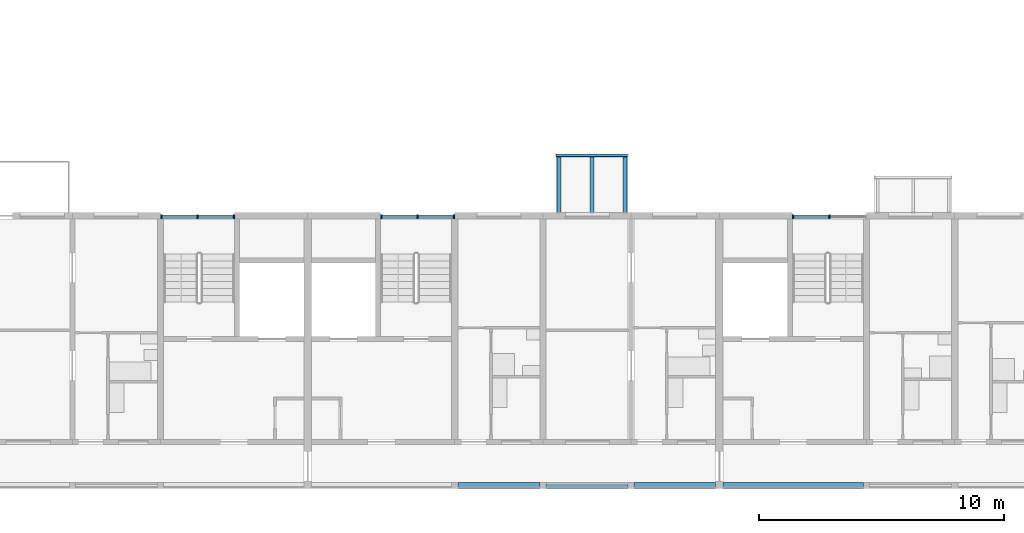
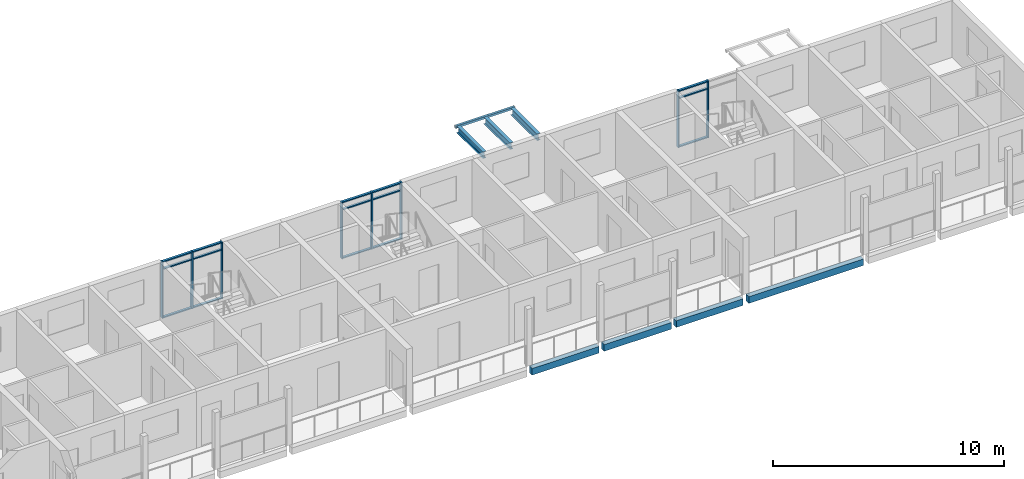
# One storey, part 15 of 99: 23 members, 8 beams, 3 elements without a shape of their own.
"""IFC4 building model written with IfcOpenShell, lengths in metres."""

from ifc_helpers import new_model, si_unit, direction, frame, origin, origin_2d, place, context, subcontext, project, spatial, rectangle, hollow_rectangle, i_section, extrude, material, material_profile, profile_set, type_object, element, aggregate, save


model = new_model("IFC4")

# Units and contexts
model_context = context("Model", 3, precision=1e-05, world=origin(), true_north=direction((0.0, 1.0)))
body_context = subcontext(model_context, "Body", "Model", "MODEL_VIEW")
ifc_project = project(units=[si_unit("LENGTHUNIT", "METRE"), si_unit("AREAUNIT", "SQUARE_METRE"), si_unit("VOLUMEUNIT", "CUBIC_METRE"), si_unit("PLANEANGLEUNIT", "RADIAN"), si_unit("MASSUNIT", "GRAM", prefix="KILO")], contexts=[model_context])

# Site, building, storey
site_placement = place(None, origin())
site = spatial("IfcSite", under=ifc_project, at=site_placement, CompositionType="ELEMENT")
building_placement = place(site_placement, origin())
building = spatial("IfcBuilding", under=site, at=building_placement, Name="Ridgestep Commons", CompositionType="ELEMENT")
storey_placement = place(building_placement, frame((0.0, 0.0, 15.0)))
storey = spatial("IfcBuildingStorey", under=building, at=storey_placement, Name="L05", CompositionType="ELEMENT", Elevation=15.0)

# Beams
ifc_material_1 = material(Name="Precast concrete C40/50", Category="concrete")
ifc_material_profile_1 = material_profile(ifc_material_1, rectangle(XDim=0.25, YDim=0.35009765625, at=origin_2d()), Name="PC 250x350")
ifc_profile_set_1 = profile_set([ifc_material_profile_1], Name="Precast concrete C40/50")
beam_type_1 = type_object("IfcBeamType", Name="Loggia edge beam 250 x 350", PredefinedType="SPANDREL", material=ifc_profile_set_1)
beam_1_placement = place(storey_placement, frame((220.125, 11.875, -0.375), z_axis=(1.0, 0.0, 0.0), x_axis=(0.0, 1.0, 0.0)))
element("IfcBeam", 1, at=beam_1_placement, inside=storey, type_object=beam_type_1, Name="Loggia edge beam D5T3 L05", PredefinedType="SPANDREL", context=body_context, shape_type="SweptSolid", body=[
    extrude(rectangle(XDim=0.25, YDim=0.35009765625, at=origin_2d()), origin(), (0.0, 0.0, 1.0), 3.35009765625),
])
beam_2_placement = place(storey_placement, frame((223.72509765625, 11.875, -0.375), z_axis=(1.0, 0.0, 0.0), x_axis=(0.0, 1.0, 0.0)))
element("IfcBeam", 2, at=beam_2_placement, inside=storey, type_object=beam_type_1, Name="Loggia edge beam D5T2 L05", PredefinedType="SPANDREL", context=body_context, shape_type="SweptSolid", body=[
    extrude(rectangle(XDim=0.25, YDim=0.35009765625, at=origin_2d()), origin(), (0.0, 0.0, 1.0), 3.349853515625),
])
beam_3_placement = place(storey_placement, frame((227.324951171875, 11.875, -0.375), z_axis=(1.0, 0.0, 0.0), x_axis=(0.0, 1.0, 0.0)))
element("IfcBeam", 3, at=beam_3_placement, inside=storey, type_object=beam_type_1, Name="Loggia edge beam D5T1 L05", PredefinedType="SPANDREL", context=body_context, shape_type="SweptSolid", body=[
    extrude(rectangle(XDim=0.25, YDim=0.35009765625, at=origin_2d()), origin(), (0.0, 0.0, 1.0), 3.324951171875),
])
beam_4_placement = place(storey_placement, frame((230.949951171875, 11.875, -0.375), z_axis=(1.0, 0.0, 0.0), x_axis=(0.0, 1.0, 0.0)))
element("IfcBeam", 4, at=beam_4_placement, inside=storey, type_object=beam_type_1, Name="Loggia edge beam D6C L05", PredefinedType="SPANDREL", context=body_context, shape_type="SweptSolid", body=[
    extrude(rectangle(XDim=0.25, YDim=0.35009765625, at=origin_2d()), origin(), (0.0, 0.0, 1.0), 5.72509765625),
])

# Curtain wall, members
ifc_material_2 = material(Name="Aluminium 6063-T6 and glass", Category="aluminium")
curtain_wall_type = type_object("IfcCurtainWallType", Name="Curtain wall stair strip", PredefinedType="NOTDEFINED", material=ifc_material_2)
curtain_wall_1_placement = place(storey_placement, origin())
curtain_wall_1 = element("IfcCurtainWall", 5, at=curtain_wall_1_placement, inside=storey, type_object=curtain_wall_type, Name="Curtain wall D4C level 05", PredefinedType="NOTDEFINED")
ifc_material_3 = material(Name="Aluminium 6063-T6", Category="aluminium")
ifc_material_profile_2 = material_profile(ifc_material_3, rectangle(XDim=0.159912109375, YDim=0.06005859375, at=origin_2d()), Name="Mullion 60 x 160")
ifc_profile_set_2 = profile_set([ifc_material_profile_2], Name="Aluminium 6063-T6")
member_type_1 = type_object("IfcMemberType", Name="Mullion 60 x 160", PredefinedType="MULLION", material=ifc_profile_set_2)
member_1_placement = place(storey_placement, frame((208.030029296875, 22.830078125, 0.0), z_axis=(0.0, 0.0, 1.0), x_axis=(0.0, 1.0, 0.0)))
member_1 = element("IfcMember", 6, at=member_1_placement, type_object=member_type_1, Name="CW1 mullion 1", PredefinedType="MULLION", context=body_context, shape_type="SweptSolid", body=[
    extrude(rectangle(XDim=0.159912109375, YDim=0.06005859375, at=origin_2d()), origin(), (0.0, 0.0, 1.0), 3.0),
])
member_2_placement = place(storey_placement, frame((209.512451171875, 22.830078125, 0.0), z_axis=(0.0, 0.0, 1.0), x_axis=(0.0, 1.0, 0.0)))
member_2 = element("IfcMember", 7, at=member_2_placement, type_object=member_type_1, Name="CW1 mullion 2", PredefinedType="MULLION", context=body_context, shape_type="SweptSolid", body=[
    extrude(rectangle(XDim=0.159912109375, YDim=0.06005859375, at=origin_2d()), origin(), (0.0, 0.0, 1.0), 3.0),
])
member_3_placement = place(storey_placement, frame((210.9951171875, 22.830078125, 0.0), z_axis=(0.0, 0.0, 1.0), x_axis=(0.0, 1.0, 0.0)))
member_3 = element("IfcMember", 8, at=member_3_placement, type_object=member_type_1, Name="CW1 mullion 3", PredefinedType="MULLION", context=body_context, shape_type="SweptSolid", body=[
    extrude(rectangle(XDim=0.159912109375, YDim=0.06005859375, at=origin_2d()), origin(), (0.0, 0.0, 1.0), 3.0),
])

curtain_wall_2_placement = place(storey_placement, origin())
curtain_wall_2 = element("IfcCurtainWall", 9, at=curtain_wall_2_placement, inside=storey, type_object=curtain_wall_type, Name="Curtain wall D5C level 05", PredefinedType="NOTDEFINED")
member_4_placement = place(storey_placement, frame((217.0048828125, 22.830078125, 0.0), z_axis=(0.0, 0.0, 1.0), x_axis=(0.0, 1.0, 0.0)))
member_4 = element("IfcMember", 10, at=member_4_placement, type_object=member_type_1, Name="CW1 mullion 1", PredefinedType="MULLION", context=body_context, shape_type="SweptSolid", body=[
    extrude(rectangle(XDim=0.159912109375, YDim=0.06005859375, at=origin_2d()), origin(), (0.0, 0.0, 1.0), 3.0),
])
member_5_placement = place(storey_placement, frame((218.487548828125, 22.830078125, 0.0), z_axis=(0.0, 0.0, 1.0), x_axis=(0.0, 1.0, 0.0)))
member_5 = element("IfcMember", 11, at=member_5_placement, type_object=member_type_1, Name="CW1 mullion 2", PredefinedType="MULLION", context=body_context, shape_type="SweptSolid", body=[
    extrude(rectangle(XDim=0.159912109375, YDim=0.06005859375, at=origin_2d()), origin(), (0.0, 0.0, 1.0), 3.0),
])
member_6_placement = place(storey_placement, frame((219.969970703125, 22.830078125, 0.0), z_axis=(0.0, 0.0, 1.0), x_axis=(0.0, 1.0, 0.0)))
member_6 = element("IfcMember", 12, at=member_6_placement, type_object=member_type_1, Name="CW1 mullion 3", PredefinedType="MULLION", context=body_context, shape_type="SweptSolid", body=[
    extrude(rectangle(XDim=0.159912109375, YDim=0.06005859375, at=origin_2d()), origin(), (0.0, 0.0, 1.0), 3.0),
])

curtain_wall_3_placement = place(storey_placement, origin())
curtain_wall_3 = element("IfcCurtainWall", 13, at=curtain_wall_3_placement, inside=storey, type_object=curtain_wall_type, Name="Curtain wall D6C level 05", PredefinedType="NOTDEFINED")
member_7_placement = place(storey_placement, frame((233.804931640625, 22.830078125, 0.0), z_axis=(0.0, 0.0, 1.0), x_axis=(0.0, 1.0, 0.0)))
member_7 = element("IfcMember", 14, at=member_7_placement, type_object=member_type_1, Name="CW1 mullion 1", PredefinedType="MULLION", context=body_context, shape_type="SweptSolid", body=[
    extrude(rectangle(XDim=0.159912109375, YDim=0.06005859375, at=origin_2d()), origin(), (0.0, 0.0, 1.0), 3.0),
])
member_8_placement = place(storey_placement, frame((235.28759765625, 22.830078125, 0.0), z_axis=(0.0, 0.0, 1.0), x_axis=(0.0, 1.0, 0.0)))
member_8 = element("IfcMember", 15, at=member_8_placement, type_object=member_type_1, Name="CW1 mullion 2", PredefinedType="MULLION", context=body_context, shape_type="SweptSolid", body=[
    extrude(rectangle(XDim=0.159912109375, YDim=0.06005859375, at=origin_2d()), origin(), (0.0, 0.0, 1.0), 3.0),
])

# Member
ifc_material_4 = material(Name="Aluminium 6063-T6", Category="aluminium")
ifc_material_profile_3 = material_profile(ifc_material_4, rectangle(XDim=0.1201171875, YDim=0.06005859375, at=origin_2d()), Name="Transom 60 x 120")
ifc_profile_set_3 = profile_set([ifc_material_profile_3], Name="Aluminium 6063-T6")
member_type_2 = type_object("IfcMemberType", Name="Transom 60 x 120", PredefinedType="USERDEFINED", material=ifc_profile_set_3)
member_9_placement = place(storey_placement, frame((208.06005859375, 22.830078125, 0.030029296875), z_axis=(1.0, 0.0, 0.0), x_axis=(0.0, 1.0, 0.0)))
member_9 = element("IfcMember", 16, at=member_9_placement, type_object=member_type_2, Name="CW1 transom 1.1", ObjectType="TRANSOM", PredefinedType="USERDEFINED", context=body_context, shape_type="SweptSolid", body=[
    extrude(rectangle(XDim=0.1201171875, YDim=0.06005859375, at=origin_2d()), origin(), (0.0, 0.0, 1.0), 1.42236328125),
])

member_10_placement = place(storey_placement, frame((208.06005859375, 22.830078125, 2.590087890625), z_axis=(1.0, 0.0, 0.0), x_axis=(0.0, 1.0, 0.0)))
member_10 = element("IfcMember", 17, at=member_10_placement, type_object=member_type_2, Name="CW1 transom 1.2", ObjectType="TRANSOM", PredefinedType="USERDEFINED", context=body_context, shape_type="SweptSolid", body=[
    extrude(rectangle(XDim=0.1201171875, YDim=0.06005859375, at=origin_2d()), origin(), (0.0, 0.0, 1.0), 1.42236328125),
])

member_11_placement = place(storey_placement, frame((208.06005859375, 22.830078125, 2.969970703125), z_axis=(1.0, 0.0, 0.0), x_axis=(0.0, 1.0, 0.0)))
member_11 = element("IfcMember", 18, at=member_11_placement, type_object=member_type_2, Name="CW1 transom 1.3", ObjectType="TRANSOM", PredefinedType="USERDEFINED", context=body_context, shape_type="SweptSolid", body=[
    extrude(rectangle(XDim=0.1201171875, YDim=0.06005859375, at=origin_2d()), origin(), (0.0, 0.0, 1.0), 1.42236328125),
])

member_12_placement = place(storey_placement, frame((209.54248046875, 22.830078125, 0.030029296875), z_axis=(1.0, 0.0, 0.0), x_axis=(0.0, 1.0, 0.0)))
member_12 = element("IfcMember", 19, at=member_12_placement, type_object=member_type_2, Name="CW1 transom 2.1", ObjectType="TRANSOM", PredefinedType="USERDEFINED", context=body_context, shape_type="SweptSolid", body=[
    extrude(rectangle(XDim=0.1201171875, YDim=0.06005859375, at=origin_2d()), origin(), (0.0, 0.0, 1.0), 1.422607421875),
])

member_13_placement = place(storey_placement, frame((209.54248046875, 22.830078125, 2.590087890625), z_axis=(1.0, 0.0, 0.0), x_axis=(0.0, 1.0, 0.0)))
member_13 = element("IfcMember", 20, at=member_13_placement, type_object=member_type_2, Name="CW1 transom 2.2", ObjectType="TRANSOM", PredefinedType="USERDEFINED", context=body_context, shape_type="SweptSolid", body=[
    extrude(rectangle(XDim=0.1201171875, YDim=0.06005859375, at=origin_2d()), origin(), (0.0, 0.0, 1.0), 1.422607421875),
])

member_14_placement = place(storey_placement, frame((209.54248046875, 22.830078125, 2.969970703125), z_axis=(1.0, 0.0, 0.0), x_axis=(0.0, 1.0, 0.0)))
member_14 = element("IfcMember", 21, at=member_14_placement, type_object=member_type_2, Name="CW1 transom 2.3", ObjectType="TRANSOM", PredefinedType="USERDEFINED", context=body_context, shape_type="SweptSolid", body=[
    extrude(rectangle(XDim=0.1201171875, YDim=0.06005859375, at=origin_2d()), origin(), (0.0, 0.0, 1.0), 1.422607421875),
])

aggregate(curtain_wall_1, [member_1, member_2, member_3, member_9, member_10, member_11, member_12, member_13, member_14])

member_15_placement = place(storey_placement, frame((217.034912109375, 22.830078125, 0.030029296875), z_axis=(1.0, 0.0, 0.0), x_axis=(0.0, 1.0, 0.0)))
member_15 = element("IfcMember", 22, at=member_15_placement, type_object=member_type_2, Name="CW1 transom 1.1", ObjectType="TRANSOM", PredefinedType="USERDEFINED", context=body_context, shape_type="SweptSolid", body=[
    extrude(rectangle(XDim=0.1201171875, YDim=0.06005859375, at=origin_2d()), origin(), (0.0, 0.0, 1.0), 1.422607421875),
])

member_16_placement = place(storey_placement, frame((217.034912109375, 22.830078125, 2.590087890625), z_axis=(1.0, 0.0, 0.0), x_axis=(0.0, 1.0, 0.0)))
member_16 = element("IfcMember", 23, at=member_16_placement, type_object=member_type_2, Name="CW1 transom 1.2", ObjectType="TRANSOM", PredefinedType="USERDEFINED", context=body_context, shape_type="SweptSolid", body=[
    extrude(rectangle(XDim=0.1201171875, YDim=0.06005859375, at=origin_2d()), origin(), (0.0, 0.0, 1.0), 1.422607421875),
])

member_17_placement = place(storey_placement, frame((217.034912109375, 22.830078125, 2.969970703125), z_axis=(1.0, 0.0, 0.0), x_axis=(0.0, 1.0, 0.0)))
member_17 = element("IfcMember", 24, at=member_17_placement, type_object=member_type_2, Name="CW1 transom 1.3", ObjectType="TRANSOM", PredefinedType="USERDEFINED", context=body_context, shape_type="SweptSolid", body=[
    extrude(rectangle(XDim=0.1201171875, YDim=0.06005859375, at=origin_2d()), origin(), (0.0, 0.0, 1.0), 1.422607421875),
])

member_18_placement = place(storey_placement, frame((218.517578125, 22.830078125, 0.030029296875), z_axis=(1.0, 0.0, 0.0), x_axis=(0.0, 1.0, 0.0)))
member_18 = element("IfcMember", 25, at=member_18_placement, type_object=member_type_2, Name="CW1 transom 2.1", ObjectType="TRANSOM", PredefinedType="USERDEFINED", context=body_context, shape_type="SweptSolid", body=[
    extrude(rectangle(XDim=0.1201171875, YDim=0.06005859375, at=origin_2d()), origin(), (0.0, 0.0, 1.0), 1.42236328125),
])

member_19_placement = place(storey_placement, frame((218.517578125, 22.830078125, 2.590087890625), z_axis=(1.0, 0.0, 0.0), x_axis=(0.0, 1.0, 0.0)))
member_19 = element("IfcMember", 26, at=member_19_placement, type_object=member_type_2, Name="CW1 transom 2.2", ObjectType="TRANSOM", PredefinedType="USERDEFINED", context=body_context, shape_type="SweptSolid", body=[
    extrude(rectangle(XDim=0.1201171875, YDim=0.06005859375, at=origin_2d()), origin(), (0.0, 0.0, 1.0), 1.42236328125),
])

member_20_placement = place(storey_placement, frame((218.517578125, 22.830078125, 2.969970703125), z_axis=(1.0, 0.0, 0.0), x_axis=(0.0, 1.0, 0.0)))
member_20 = element("IfcMember", 27, at=member_20_placement, type_object=member_type_2, Name="CW1 transom 2.3", ObjectType="TRANSOM", PredefinedType="USERDEFINED", context=body_context, shape_type="SweptSolid", body=[
    extrude(rectangle(XDim=0.1201171875, YDim=0.06005859375, at=origin_2d()), origin(), (0.0, 0.0, 1.0), 1.42236328125),
])

aggregate(curtain_wall_2, [member_4, member_5, member_6, member_15, member_16, member_17, member_18, member_19, member_20])

member_21_placement = place(storey_placement, frame((233.8349609375, 22.830078125, 0.030029296875), z_axis=(1.0, 0.0, 0.0), x_axis=(0.0, 1.0, 0.0)))
member_21 = element("IfcMember", 28, at=member_21_placement, type_object=member_type_2, Name="CW1 transom 1.1", ObjectType="TRANSOM", PredefinedType="USERDEFINED", context=body_context, shape_type="SweptSolid", body=[
    extrude(rectangle(XDim=0.1201171875, YDim=0.06005859375, at=origin_2d()), origin(), (0.0, 0.0, 1.0), 1.422607421875),
])

member_22_placement = place(storey_placement, frame((233.8349609375, 22.830078125, 2.590087890625), z_axis=(1.0, 0.0, 0.0), x_axis=(0.0, 1.0, 0.0)))
member_22 = element("IfcMember", 29, at=member_22_placement, type_object=member_type_2, Name="CW1 transom 1.2", ObjectType="TRANSOM", PredefinedType="USERDEFINED", context=body_context, shape_type="SweptSolid", body=[
    extrude(rectangle(XDim=0.1201171875, YDim=0.06005859375, at=origin_2d()), origin(), (0.0, 0.0, 1.0), 1.422607421875),
])

member_23_placement = place(storey_placement, frame((233.8349609375, 22.830078125, 2.969970703125), z_axis=(1.0, 0.0, 0.0), x_axis=(0.0, 1.0, 0.0)))
member_23 = element("IfcMember", 30, at=member_23_placement, type_object=member_type_2, Name="CW1 transom 1.3", ObjectType="TRANSOM", PredefinedType="USERDEFINED", context=body_context, shape_type="SweptSolid", body=[
    extrude(rectangle(XDim=0.1201171875, YDim=0.06005859375, at=origin_2d()), origin(), (0.0, 0.0, 1.0), 1.422607421875),
])

aggregate(curtain_wall_3, [member_7, member_8, member_21, member_22, member_23])

# Beams
ifc_material_5 = material(Name="Weathering steel S355J2W", Category="steel")
ifc_material_profile_4 = material_profile(ifc_material_5, i_section(OverallWidth=0.171142578125, OverallDepth=0.351318359375, WebThickness=0.007080078125, FlangeThickness=0.009765625, FilletRadius=0.01025390625, at=origin_2d()), Name="UB 356x171x45")
ifc_profile_set_4 = profile_set([ifc_material_profile_4], Name="Weathering steel S355J2W")
beam_type_2 = type_object("IfcBeamType", Name="Tray arm UB 356x171x45", PredefinedType="BEAM", material=ifc_profile_set_4)
for number, where, z_axis, x_axis, name in (
    (31, (224.25, 23.014892578125, 2.814208984375), (0.0, 1.0, 0.0), (-1.0, 0.0, 0.0), "Tray arm D5T2-06.1"),
    (32, (225.60009765625, 23.014892578125, 2.814208984375), (0.0, 1.0, 0.0), (-1.0, 0.0, 0.0), "Tray arm D5T2-06.2"),
    (33, (226.949951171875, 23.014892578125, 2.814208984375), (0.0, 1.0, 0.0), (-1.0, 0.0, 0.0), "Tray arm D5T2-06.3"),
):
    element("IfcBeam", number, at=place(storey_placement, frame(where, z_axis=z_axis, x_axis=x_axis)), inside=storey, type_object=beam_type_2, Name=name, PredefinedType="BEAM", context=body_context, shape_type="SweptSolid", body=[
        extrude(i_section(OverallWidth=0.171142578125, OverallDepth=0.351318359375, WebThickness=0.007080078125, FlangeThickness=0.009765625, FilletRadius=0.01025390625, at=origin_2d()), origin(), (0.0, 0.0, 1.0), 2.26513671875),
    ])
ifc_material_6 = material(Name="Weathering steel S355J2W", Category="steel")
ifc_material_profile_5 = material_profile(ifc_material_6, hollow_rectangle(XDim=0.1201171875, YDim=0.1201171875, WallThickness=0.00634765625, InnerFilletRadius=0.00634765625, OuterFilletRadius=0.009521484375, at=origin_2d()), Name="SHS 120x120x6.3")
ifc_profile_set_5 = profile_set([ifc_material_profile_5], Name="Weathering steel S355J2W")
beam_type_3 = type_object("IfcBeamType", Name="Tray edge member SHS 120x120x6.3", PredefinedType="BEAM", material=ifc_profile_set_5)
beam_5_placement = place(storey_placement, frame((224.1298828125, 25.340087890625, 2.929931640625), z_axis=(1.0, 0.0, 0.0), x_axis=(0.0, 0.0, 1.0)))
element("IfcBeam", 34, at=beam_5_placement, inside=storey, type_object=beam_type_3, Name="Tray edge member D5T2-06", PredefinedType="BEAM", context=body_context, shape_type="SweptSolid", body=[
    extrude(hollow_rectangle(XDim=0.1201171875, YDim=0.1201171875, WallThickness=0.00634765625, InnerFilletRadius=0.00634765625, OuterFilletRadius=0.009521484375, at=origin_2d()), origin(), (0.0, 0.0, 1.0), 2.940185546875),
])

save(model, "model.ifc")
